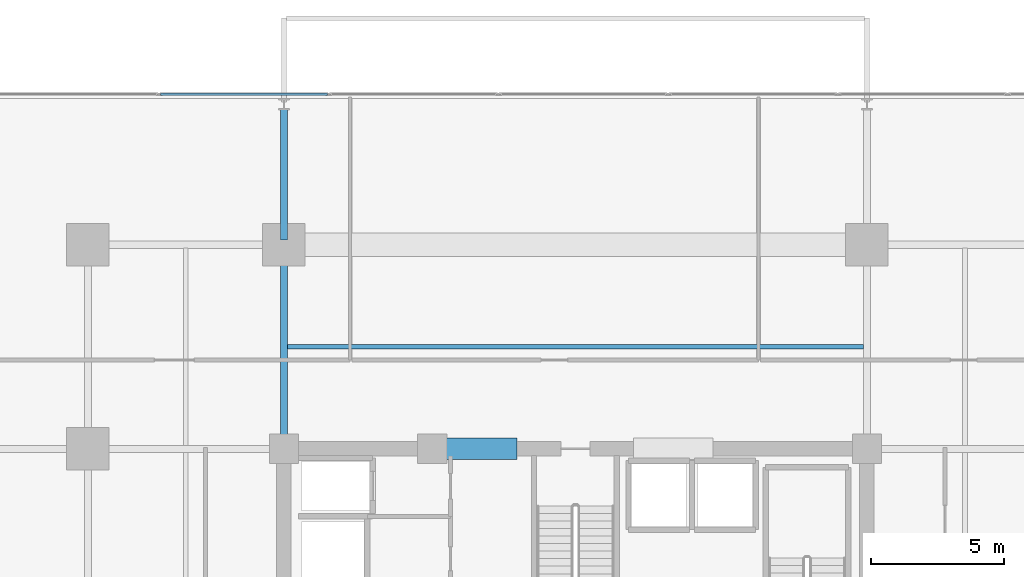
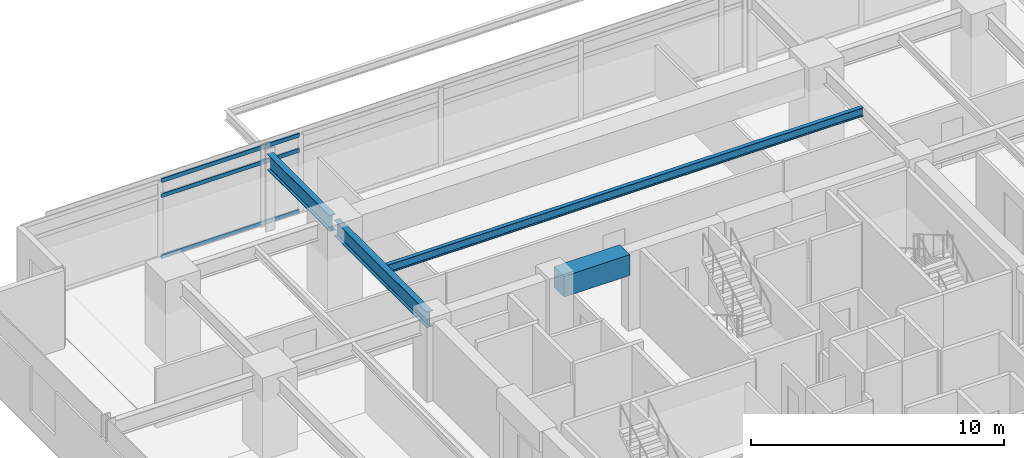
# One storey, part 6 of 24: 4 beams, 3 members, 1 element without a shape of its own.
"""IFC4 building model written with IfcOpenShell, lengths in metres."""

import ifcopenshell
import ifcopenshell.guid

model = None  # the IFC model being written
_history = None  # IfcOwnerHistory: only IFC2X3 demands one
_inside = {}  # id of a spatial element -> (the spatial element, [elements in it])
_under = {}  # id of a project, library or spatial element -> (it, [spatial elements below it])
_declared = {}  # id of a project -> (the project, [libraries it declares])
_typed = {}  # id of a type object -> (the type object, [elements of that type])
_made_of = {}  # id of a material, layer set ... -> (it, [elements and type objects made of it])


def new_model(schema):
    """Start an empty IFC model of exactly this schema.

    Asked for "IFC4X3", IfcOpenShell would pick the latest addendum, in which some entities
    have other attributes; the version numbers below select the first issue.
    IFC2X3 requires an IfcOwnerHistory on every rooted entity: one is made here for all.
    """
    global model, _history
    if schema == "IFC4X3":
        model = ifcopenshell.file(schema_version=(4, 3, 0, 0))
    else:
        model = ifcopenshell.file(schema=schema)
    _inside.clear()
    _under.clear()
    _declared.clear()
    _typed.clear()
    _made_of.clear()
    _history = None
    if model.schema == "IFC2X3":
        org = make("IfcOrganization", Name="unknown")
        user = make(
            "IfcPersonAndOrganization",
            ThePerson=make("IfcPerson", FamilyName="unknown"),
            TheOrganization=org,
        )
        app = make(
            "IfcApplication",
            ApplicationDeveloper=org,
            Version="unknown",
            ApplicationFullName="unknown",
            ApplicationIdentifier="unknown",
        )
        _history = make(
            "IfcOwnerHistory",
            OwningUser=user,
            OwningApplication=app,
            ChangeAction="ADDED",
            CreationDate=0,
        )
    return model


def make(cls, **values):
    """One entity of the class cls with the attributes given. An attribute that is None is left unset."""
    return model.create_entity(
        cls, **{name: value for name, value in values.items() if value is not None}
    )


def rooted(cls, **values):
    """An entity with a GlobalId (a new one), such as an element, a storey or a relation."""
    return make(cls, GlobalId=ifcopenshell.guid.new(), OwnerHistory=_history, **values)


def si_unit(unit_type, name, prefix=None):
    """IfcSIUnit, for example si_unit("LENGTHUNIT", "METRE", prefix="MILLI")."""
    return make("IfcSIUnit", UnitType=unit_type, Prefix=prefix, Name=name)


def assignment(units):
    """IfcUnitAssignment: the units of a project."""
    return None if units is None else make("IfcUnitAssignment", Units=units)


def point(xyz):
    """IfcCartesianPoint."""
    return None if xyz is None else make("IfcCartesianPoint", Coordinates=xyz)


def direction(xyz):
    """IfcDirection."""
    return None if xyz is None else make("IfcDirection", DirectionRatios=xyz)


def frame(location, z_axis=None, x_axis=None):
    """IfcAxis2Placement3D, a coordinate frame: its origin and axes. An axis left out is left unset."""
    return make(
        "IfcAxis2Placement3D",
        Location=point(location),
        Axis=direction(z_axis),
        RefDirection=direction(x_axis),
    )


def frame_2d(location, x_axis=None):
    """IfcAxis2Placement2D, a coordinate frame in the plane: its origin and x axis."""
    return make(
        "IfcAxis2Placement2D", Location=point(location), RefDirection=direction(x_axis)
    )


def origin():
    """The frame at (0, 0, 0) with its axes left unset."""
    return frame((0.0, 0.0, 0.0))


def origin_2d():
    """The frame at (0, 0) in the plane with its x axis left unset."""
    return frame_2d((0.0, 0.0))


def place(relative_to, where):
    """IfcLocalPlacement: puts the frame where relative to a parent placement (None: the world)."""
    return make(
        "IfcLocalPlacement", PlacementRelTo=relative_to, RelativePlacement=where
    )


def context(
    kind, dimensions, precision=None, world=None, true_north=None, identifier=None
):
    """IfcGeometricRepresentationContext, for example the 3D "Model" context."""
    return make(
        "IfcGeometricRepresentationContext",
        ContextIdentifier=identifier,
        ContextType=kind,
        CoordinateSpaceDimension=dimensions,
        Precision=precision,
        WorldCoordinateSystem=world,
        TrueNorth=true_north,
    )


def subcontext(parent, identifier, kind, view, scale=None):
    """IfcGeometricRepresentationSubContext, for example "Body" below "Model"."""
    return make(
        "IfcGeometricRepresentationSubContext",
        ContextIdentifier=identifier,
        ContextType=kind,
        ParentContext=parent,
        TargetScale=scale,
        TargetView=view,
    )


def project(units=None, contexts=None):
    """IfcProject with its units and contexts."""
    return rooted(
        "IfcProject",
        Name="project",
        RepresentationContexts=contexts,
        UnitsInContext=assignment(units),
    )


def spatial(cls, under=None, at=None, **own):
    """A site, building, storey or space (cls), placed at a placement, below another one or the project."""
    s = rooted(cls, ObjectPlacement=at, **own)
    if under is not None:
        _under.setdefault(under.id(), (under, []))[1].append(s)
    return s


def profile(cls, at=None, kind="AREA", **sizes):
    """A parametric profile (cls). Its sizes go by their IFC names, for example OverallWidth=200.0."""
    return make(cls, ProfileType=kind, Position=at, **sizes)


def rectangle(**sizes):
    """IfcRectangleProfileDef."""
    return profile("IfcRectangleProfileDef", **sizes)


def hollow_rectangle(**sizes):
    """IfcRectangleHollowProfileDef."""
    return profile("IfcRectangleHollowProfileDef", **sizes)


def i_section(**sizes):
    """IfcIShapeProfileDef."""
    return profile("IfcIShapeProfileDef", **sizes)


def extrude(swept, where, along, depth):
    """IfcExtrudedAreaSolid: the profile swept, set in the frame where, extruded along a direction by depth."""
    return make(
        "IfcExtrudedAreaSolid",
        SweptArea=swept,
        Position=where,
        ExtrudedDirection=direction(along),
        Depth=depth,
    )


def shape(context_of_items, identifier, shape_type, items):
    """IfcShapeRepresentation: the items that make up one representation, for example the "Body"."""
    return make(
        "IfcShapeRepresentation",
        ContextOfItems=context_of_items,
        RepresentationIdentifier=identifier,
        RepresentationType=shape_type,
        Items=items,
    )


def material(Name=None, Category=None):
    """IfcMaterial."""
    return make("IfcMaterial", Name=Name, Category=Category)


def material_profile(
    of_material, cross_section, Name=None, Category=None, Priority=None
):
    """IfcMaterialProfile: a cross section and its material."""
    return make(
        "IfcMaterialProfile",
        Name=Name,
        Material=of_material,
        Profile=cross_section,
        Priority=Priority,
        Category=Category,
    )


def profile_set(profiles, Name=None, composite=None):
    """IfcMaterialProfileSet."""
    return make(
        "IfcMaterialProfileSet",
        Name=Name,
        MaterialProfiles=profiles,
        CompositeProfile=composite,
    )


def made_of(thing, what):
    """Note that an element or type object is made of a material, layer set ...; save() writes the relation."""
    if what is not None:
        _made_of.setdefault(what.id(), (what, []))[1].append(thing)
    return thing


def type_object(cls, material=None, **own):
    """A type object (cls), such as IfcWallType, which elements share."""
    return made_of(rooted(cls, **own), material)


def element(
    cls,
    number,
    at=None,
    inside=None,
    cuts=None,
    type_object=None,
    material=None,
    context=None,
    identifier="Body",
    shape_type=None,
    held_by="IfcProductDefinitionShape",
    body=None,
    shapes=None,
    **own,
):
    """One element of the class cls, such as IfcWall. Its Tag is "e" and its number.

    at: its placement. inside: the storey or other place that contains it. cuts: it is an
    opening in that element (IfcRelVoidsElement). A single representation is given by context,
    identifier, shape_type and body (its items); several are given by shapes. held_by: the class
    of the entity that holds the representations. save() writes the other relations.
    """
    e = rooted(cls, Tag="e%d" % number, ObjectPlacement=at, **own)
    if body is not None:
        shapes = [shape(context, identifier, shape_type, body)]
    if shapes is not None:
        e.Representation = make(held_by, Representations=shapes)
    if inside is not None:
        _inside.setdefault(inside.id(), (inside, []))[1].append(e)
    if cuts is not None:
        rooted(
            "IfcRelVoidsElement", RelatingBuildingElement=cuts, RelatedOpeningElement=e
        )
    if type_object is not None:
        _typed.setdefault(type_object.id(), (type_object, []))[1].append(e)
    return made_of(e, material)


def aggregate(whole, parts):
    """IfcRelAggregates: a whole, such as a stair, and the parts it consists of."""
    return rooted("IfcRelAggregates", RelatingObject=whole, RelatedObjects=parts)


def save(model, path):
    """Write the relations noted so far, then the file.

    IfcRelAggregates (storeys below a building ...), IfcRelContainedInSpatialStructure (elements
    in a storey), IfcRelDefinesByType, IfcRelAssociatesMaterial and IfcRelDeclares: one each for
    every whole, place, type object, material and project.
    """
    for whole, parts in _under.values():
        aggregate(whole, parts)
    for where, things in _inside.values():
        rooted(
            "IfcRelContainedInSpatialStructure",
            RelatedElements=things,
            RelatingStructure=where,
        )
    for kind, things in _typed.values():
        rooted("IfcRelDefinesByType", RelatedObjects=things, RelatingType=kind)
    for what, things in _made_of.values():
        rooted("IfcRelAssociatesMaterial", RelatedObjects=things, RelatingMaterial=what)
    for by, libraries in _declared.values():
        rooted("IfcRelDeclares", RelatingContext=by, RelatedDefinitions=libraries)
    model.write(path)


model = new_model("IFC4")

# Units and contexts
model_context = context("Model", 3, precision=1e-05, world=origin(), true_north=direction((0.0, 1.0)))
body_context = subcontext(model_context, "Body", "Model", "MODEL_VIEW")
ifc_project = project(units=[si_unit("LENGTHUNIT", "METRE"), si_unit("AREAUNIT", "SQUARE_METRE"), si_unit("VOLUMEUNIT", "CUBIC_METRE"), si_unit("PLANEANGLEUNIT", "RADIAN"), si_unit("MASSUNIT", "GRAM", prefix="KILO")], contexts=[model_context])

# Site, building, storey
site_placement = place(None, origin())
site = spatial("IfcSite", under=ifc_project, at=site_placement, CompositionType="ELEMENT")
building_placement = place(site_placement, origin())
building = spatial("IfcBuilding", under=site, at=building_placement, Name="Kovane Verandah Tower", CompositionType="ELEMENT")
storey_placement = place(building_placement, frame((0.0, 0.0, 144.39990234375)))
storey = spatial("IfcBuildingStorey", under=building, at=storey_placement, Name="L33", CompositionType="ELEMENT", Elevation=144.39990234375)

# Beams
ifc_material_1 = material(Name="Concrete C60/75", Category="concrete")
ifc_material_profile_1 = material_profile(ifc_material_1, rectangle(XDim=0.800048828125, YDim=1.0, at=origin_2d()), Name="RCB800x1000")
ifc_profile_set_1 = profile_set([ifc_material_profile_1], Name="Concrete C60/75")
beam_type_1 = type_object("IfcBeamType", Name="BM-LINTEL-800x1000", PredefinedType="LINTEL", material=ifc_profile_set_1)
beam_1_placement = place(storey_placement, frame((34.800048828125, 36.5, 3.275146484375), z_axis=(1.0, 0.0, 0.0), x_axis=(0.0, 1.0, 0.0)))
element("IfcBeam", 1, at=beam_1_placement, inside=storey, type_object=beam_type_1, Name="L33 Core Coupling Lintel CL-N1", PredefinedType="LINTEL", context=body_context, shape_type="SweptSolid", body=[
    extrude(rectangle(XDim=0.800048828125, YDim=1.0, at=origin_2d()), origin(), (0.0, 0.0, 1.0), 3.0),
])
ifc_material_2 = material(Name="Steel S355", Category="steel")
ifc_material_profile_2 = material_profile(ifc_material_2, i_section(OverallWidth=0.26806640625, OverallDepth=0.769775390625, WebThickness=0.015625, FlangeThickness=0.025390625, FilletRadius=0.0166015625, at=origin_2d()), Name="UB762x267x197")
ifc_profile_set_2 = profile_set([ifc_material_profile_2], Name="Steel S355")
beam_type_2 = type_object("IfcBeamType", Name="BM-UB762x197", PredefinedType="BEAM", material=ifc_profile_set_2)
beam_2_placement = place(storey_placement, frame((29.0, 36.679931640625, 3.39013671875), z_axis=(0.0, 1.0, 0.0), x_axis=(-1.0, 0.0, 0.0)))
element("IfcBeam", 2, at=beam_2_placement, inside=storey, type_object=beam_type_2, Name="L33 Primary Tower Girder G-N1", PredefinedType="BEAM", context=body_context, shape_type="SweptSolid", body=[
    extrude(i_section(OverallWidth=0.26806640625, OverallDepth=0.769775390625, WebThickness=0.015625, FlangeThickness=0.025390625, FilletRadius=0.0166015625, at=origin_2d()), origin(), (0.0, 0.0, 1.0), 7.340087890625),
])
beam_3_placement = place(storey_placement, frame((29.0, 44.3798828125, 3.375244140625), z_axis=(0.0, 1.0, 0.0), x_axis=(-1.0, 0.0, 0.0)))
element("IfcBeam", 3, at=beam_3_placement, inside=storey, type_object=beam_type_2, Name="L33 Primary Tower Girder G-VN1", PredefinedType="BEAM", context=body_context, shape_type="SweptSolid", body=[
    extrude(i_section(OverallWidth=0.26806640625, OverallDepth=0.769775390625, WebThickness=0.015625, FlangeThickness=0.025390625, FilletRadius=0.0166015625, at=origin_2d()), origin(), (0.0, 0.0, 1.0), 4.940185546875),
])

# Curtain wall, members
ifc_material_3 = material(Name="Champagne Anodised Aluminium Frame with Low-E Clear Laminated Glass", Category="aluminium")
curtain_wall_type = type_object("IfcCurtainWallType", Name="CW-SYS-03-MID", PredefinedType="NOTDEFINED", material=ifc_material_3)
curtain_wall_placement = place(storey_placement, origin())
curtain_wall = element("IfcCurtainWall", 4, at=curtain_wall_placement, inside=storey, type_object=curtain_wall_type, Name="L33 N Unitised Curtain Wall", PredefinedType="NOTDEFINED")
ifc_material_4 = material(Name="Champagne Anodised Aluminium 6063-T6", Category="aluminium")
ifc_material_profile_3 = material_profile(ifc_material_4, hollow_rectangle(XDim=0.0849609375, YDim=0.18994140625, WallThickness=0.00390625, at=origin_2d()), Name="AL85x190x4")
ifc_profile_set_3 = profile_set([ifc_material_profile_3], Name="Champagne Anodised Aluminium 6063-T6")
member_type = type_object("IfcMemberType", Name="CW-TRN-85x190", PredefinedType="USERDEFINED", material=ifc_profile_set_3)
member_1_placement = place(storey_placement, frame((30.64892578125, 49.875, 0.050048828125), z_axis=(-1.0, 0.0, 0.0), x_axis=(0.0, -1.0, 0.0)))
member_1 = element("IfcMember", 5, at=member_1_placement, type_object=member_type, Name="L33 N Unitised Curtain Wall Transom TB Bay 6", ObjectType="TRANSOM", PredefinedType="USERDEFINED", context=body_context, shape_type="SweptSolid", body=[
    extrude(hollow_rectangle(XDim=0.0849609375, YDim=0.18994140625, WallThickness=0.00390625, at=origin_2d()), origin(), (0.0, 0.0, 1.0), 6.302978515625),
])
member_2_placement = place(storey_placement, frame((30.64892578125, 49.875, 2.9951171875), z_axis=(-1.0, 0.0, 0.0), x_axis=(0.0, -1.0, 0.0)))
member_2 = element("IfcMember", 6, at=member_2_placement, type_object=member_type, Name="L33 N Unitised Curtain Wall Transom TM Bay 6", ObjectType="TRANSOM", PredefinedType="USERDEFINED", context=body_context, shape_type="SweptSolid", body=[
    extrude(hollow_rectangle(XDim=0.0849609375, YDim=0.18994140625, WallThickness=0.00390625, at=origin_2d()), origin(), (0.0, 0.0, 1.0), 6.302978515625),
])
member_3_placement = place(storey_placement, frame((30.64892578125, 49.875, 3.72509765625), z_axis=(-1.0, 0.0, 0.0), x_axis=(0.0, -1.0, 0.0)))
member_3 = element("IfcMember", 7, at=member_3_placement, type_object=member_type, Name="L33 N Unitised Curtain Wall Transom TT Bay 6", ObjectType="TRANSOM", PredefinedType="USERDEFINED", context=body_context, shape_type="SweptSolid", body=[
    extrude(hollow_rectangle(XDim=0.0849609375, YDim=0.18994140625, WallThickness=0.00390625, at=origin_2d()), origin(), (0.0, 0.0, 1.0), 6.302978515625),
])
aggregate(curtain_wall, [member_1, member_2, member_3])

# Beam
ifc_material_profile_4 = material_profile(ifc_material_2, i_section(OverallWidth=0.179443359375, OverallDepth=0.412841796875, WebThickness=0.009521484375, FlangeThickness=0.01611328125, FilletRadius=0.01025390625, at=origin_2d()), Name="UB406x178x74")
ifc_profile_set_4 = profile_set([ifc_material_profile_4], Name="Steel S355")
beam_type_3 = type_object("IfcBeamType", Name="JST-UB406x74", PredefinedType="JOIST", material=ifc_profile_set_4)
beam_4_placement = place(storey_placement, frame((29.132080078125, 40.35009765625, 3.568603515625), z_axis=(1.0, 0.0, 0.0), x_axis=(0.0, 1.0, 0.0)))
element("IfcBeam", 8, at=beam_4_placement, inside=storey, type_object=beam_type_3, Name="L33 Secondary Composite Joist J-N1", PredefinedType="JOIST", context=body_context, shape_type="SweptSolid", body=[
    extrude(i_section(OverallWidth=0.179443359375, OverallDepth=0.412841796875, WebThickness=0.009521484375, FlangeThickness=0.01611328125, FilletRadius=0.01025390625, at=origin_2d()), origin(), (0.0, 0.0, 1.0), 21.73583984375),
])

save(model, "model.ifc")
